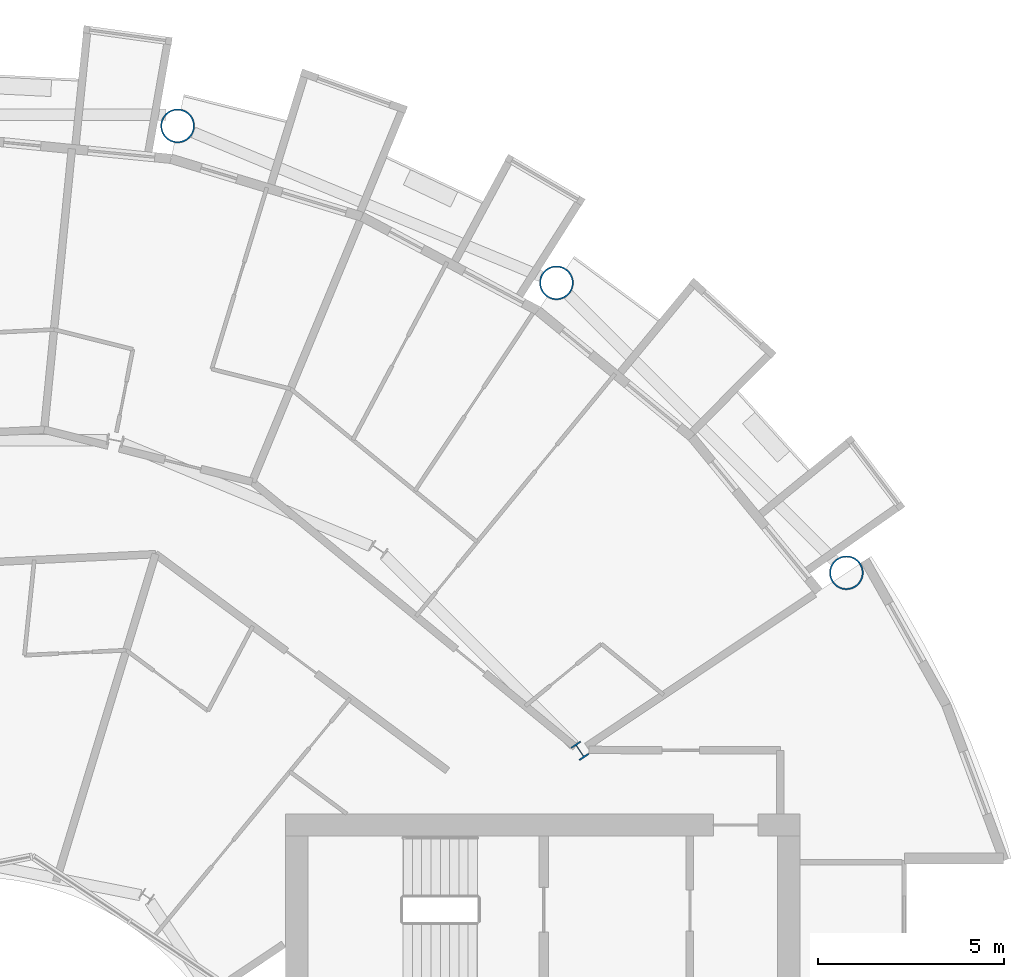
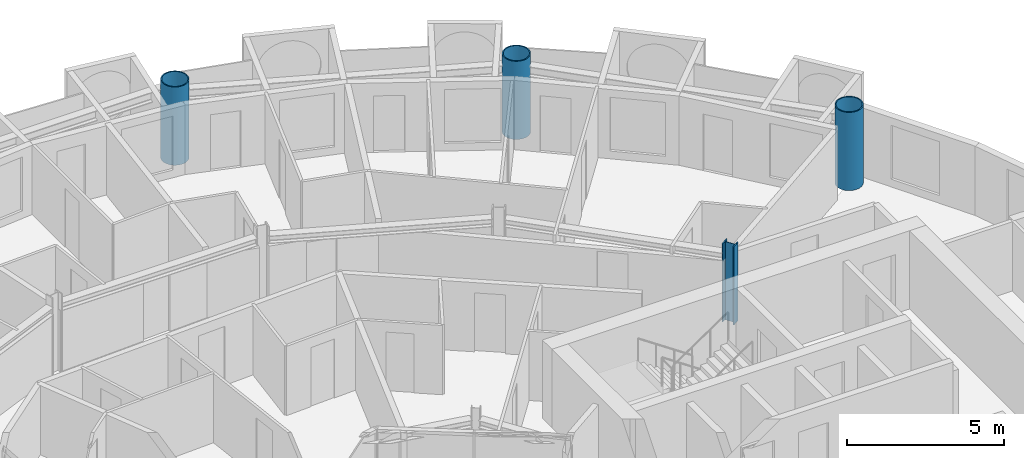
# One storey, part 4 of 27: 4 columns.
"""IFC4 building model written with IfcOpenShell, lengths in metres."""

from ifc_helpers import new_model, si_unit, direction, frame, origin, origin_2d, place, context, subcontext, project, spatial, hollow_circle, i_section, extrude, material, material_profile, profile_set, type_object, element, save


model = new_model("IFC4")

# Units and contexts
model_context = context("Model", 3, precision=1e-05, world=origin(), true_north=direction((0.0, 1.0)))
body_context = subcontext(model_context, "Body", "Model", "MODEL_VIEW")
ifc_project = project(units=[si_unit("LENGTHUNIT", "METRE"), si_unit("AREAUNIT", "SQUARE_METRE"), si_unit("VOLUMEUNIT", "CUBIC_METRE"), si_unit("PLANEANGLEUNIT", "RADIAN"), si_unit("MASSUNIT", "GRAM", prefix="KILO")], contexts=[model_context])

# Site, building, storey
site_placement = place(None, origin())
site = spatial("IfcSite", under=ifc_project, at=site_placement, CompositionType="ELEMENT")
building_placement = place(site_placement, origin())
building = spatial("IfcBuilding", under=site, at=building_placement, Name="Maasbend Ring Residences", CompositionType="ELEMENT")
storey_placement = place(building_placement, frame((0.0, 0.0, 114.699951171875)))
storey = spatial("IfcBuildingStorey", under=building, at=storey_placement, Name="L32", CompositionType="ELEMENT", Elevation=114.699951171875)

# Columns
ifc_material_1 = material(Name="Composite concrete-filled steel tube S460NH / C80/95", Category="concrete")
ifc_material_profile_1 = material_profile(ifc_material_1, hollow_circle(Radius=0.45703125, WallThickness=0.0400390625, at=origin_2d()), Name="Composite tube column CHS 914x40")
ifc_profile_set_1 = profile_set([ifc_material_profile_1], Name="Composite concrete-filled steel tube S460NH / C80/95")
column_type_1 = type_object("IfcColumnType", Name="Composite tube column CHS 914x40", PredefinedType="COLUMN", material=ifc_profile_set_1)
for number, where, z_axis, x_axis, name in (
    (1, (23.447509765625, 15.6669921875, 0.0), (0.0, 0.0, 1.0), (1.0, 0.0, 0.0), "Outer column R2"),
    (2, (15.6669921875, 23.447509765625, 0.0), (0.0, 0.0, 1.0), (1.0, 0.0, 0.0), "Outer column R3"),
    (3, (5.50146484375, 27.658203125, 0.0), (0.0, 0.0, 1.0), (1.0, 0.0, 0.0), "Outer column R4"),
):
    element("IfcColumn", number, at=place(storey_placement, frame(where, z_axis=z_axis, x_axis=x_axis)), inside=storey, type_object=column_type_1, Name=name, PredefinedType="COLUMN", context=body_context, shape_type="SweptSolid", body=[
        extrude(hollow_circle(Radius=0.45703125, WallThickness=0.0400390625, at=origin_2d()), origin(), (0.0, 0.0, 1.0), 3.050048828125),
    ])
ifc_material_2 = material(Name="Steel S460M", Category="steel")
ifc_material_profile_2 = material_profile(ifc_material_2, i_section(OverallWidth=0.306884765625, OverallDepth=0.431884765625, WebThickness=0.02099609375, FlangeThickness=0.0400390625, FilletRadius=0.027099609375, at=origin_2d()), Name="HEM 400")
ifc_profile_set_2 = profile_set([ifc_material_profile_2], Name="Steel S460M")
column_type_2 = type_object("IfcColumnType", Name="Steel column HEM 400", PredefinedType="COLUMN", material=ifc_profile_set_2)
column_placement = place(storey_placement, frame((16.296875, 10.88916015625, 0.0), z_axis=(0.0, 0.0, 1.0), x_axis=(0.831469612303, 0.55557023302, 0.0)))
element("IfcColumn", 4, at=column_placement, inside=storey, type_object=column_type_2, Name="Corridor ring column R2", PredefinedType="COLUMN", context=body_context, shape_type="SweptSolid", body=[
    extrude(i_section(OverallWidth=0.306884765625, OverallDepth=0.431884765625, WebThickness=0.02099609375, FlangeThickness=0.0400390625, FilletRadius=0.027099609375, at=origin_2d()), origin(), (0.0, 0.0, 1.0), 3.050048828125),
])

save(model, "model.ifc")
